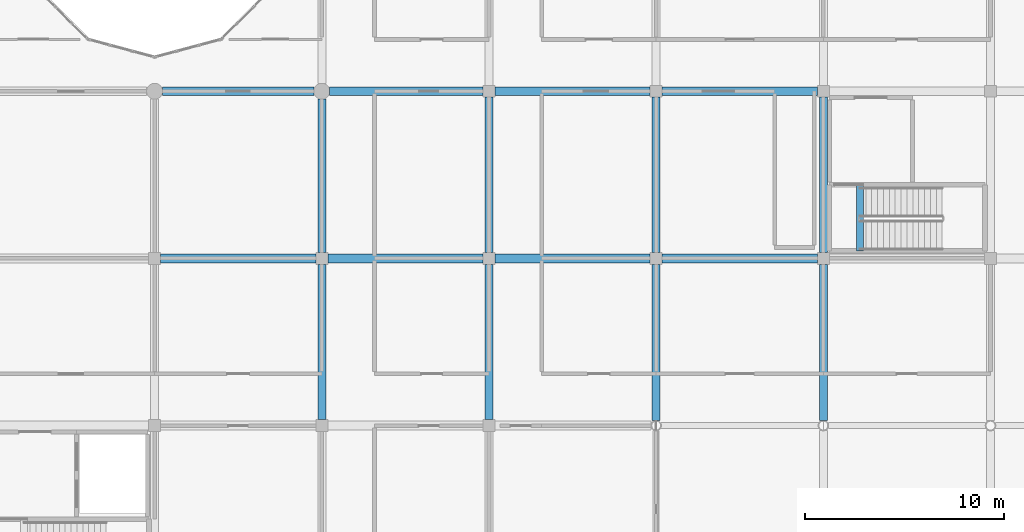
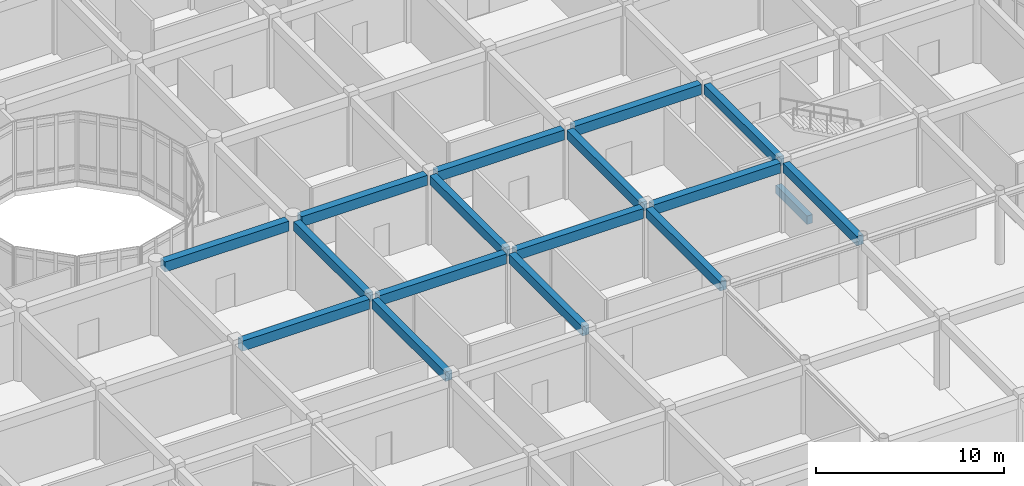
# One storey, part 26 of 138: 17 beams.
"""IFC4 building model written with IfcOpenShell, lengths in metres."""

from ifc_helpers import new_model, si_unit, direction, frame, origin, origin_2d, place, context, subcontext, project, spatial, rectangle, extrude, material, material_profile, profile_set, type_object, element, save


model = new_model("IFC4")

# Units and contexts
model_context = context("Model", 3, precision=1e-05, world=origin(), true_north=direction((0.0, 1.0)))
body_context = subcontext(model_context, "Body", "Model", "MODEL_VIEW")
ifc_project = project(units=[si_unit("LENGTHUNIT", "METRE"), si_unit("AREAUNIT", "SQUARE_METRE"), si_unit("VOLUMEUNIT", "CUBIC_METRE"), si_unit("PLANEANGLEUNIT", "RADIAN"), si_unit("MASSUNIT", "GRAM", prefix="KILO")], contexts=[model_context])

# Site, building, storey
site_placement = place(None, origin())
site = spatial("IfcSite", under=ifc_project, at=site_placement, CompositionType="ELEMENT")
building_placement = place(site_placement, origin())
building = spatial("IfcBuilding", under=site, at=building_placement, Name="Bramfleet General Hospital", CompositionType="ELEMENT")
storey_placement = place(building_placement, origin())
storey = spatial("IfcBuildingStorey", under=building, at=storey_placement, Name="L00", CompositionType="ELEMENT", Elevation=0.0)

# Beams
ifc_material = material(Name="Concrete C35/45", Category="concrete")
ifc_material_profile_1 = material_profile(ifc_material, rectangle(XDim=0.35009765625, YDim=0.550048828125, at=origin_2d()), Name="RC BM 550x350")
ifc_profile_set_1 = profile_set([ifc_material_profile_1], Name="Concrete C35/45")
beam_type_1 = type_object("IfcBeamType", Name="BM-RC550", PredefinedType="BEAM", material=ifc_profile_set_1)
beam_1_placement = place(storey_placement, frame((60.639892578125, 67.580078125, -0.27490234375), z_axis=(0.0, 1.0, 0.0), x_axis=(-1.0, 0.0, 0.0)))
element("IfcBeam", 1, at=beam_1_placement, inside=storey, type_object=beam_type_1, Name="L00 C13 Stairwell Trimmer Beam", PredefinedType="BEAM", context=body_context, shape_type="SweptSolid", body=[
    extrude(rectangle(XDim=0.35009765625, YDim=0.550048828125, at=origin_2d()), origin(), (0.0, 0.0, 1.0), 3.31982421875),
])
ifc_material_profile_2 = material_profile(ifc_material, rectangle(XDim=0.39990234375, YDim=0.60009765625, at=origin_2d()), Name="RC BM 600x400")
ifc_profile_set_2 = profile_set([ifc_material_profile_2], Name="Concrete C35/45")
beam_type_2 = type_object("IfcBeamType", Name="BM-RC600", PredefinedType="BEAM", material=ifc_profile_set_2)
beam_2_placement = place(storey_placement, frame((33.60009765625, 59.10009765625, 4.199951171875), z_axis=(0.0, 1.0, 0.0), x_axis=(-1.0, 0.0, 0.0)))
element("IfcBeam", 2, at=beam_2_placement, inside=storey, type_object=beam_type_2, Name="L00 Grid Beam Y 04-07", PredefinedType="BEAM", context=body_context, shape_type="SweptSolid", body=[
    extrude(rectangle(XDim=0.39990234375, YDim=0.60009765625, at=origin_2d()), origin(), (0.0, 0.0, 1.0), 7.7998046875),
])
beam_3_placement = place(storey_placement, frame((33.60009765625, 67.5, 4.199951171875), z_axis=(0.0, 1.0, 0.0), x_axis=(-1.0, 0.0, 0.0)))
element("IfcBeam", 3, at=beam_3_placement, inside=storey, type_object=beam_type_2, Name="L00 Grid Beam Y 04-08", PredefinedType="BEAM", context=body_context, shape_type="SweptSolid", body=[
    extrude(rectangle(XDim=0.39990234375, YDim=0.60009765625, at=origin_2d()), origin(), (0.0, 0.0, 1.0), 7.699951171875),
])
beam_4_placement = place(storey_placement, frame((42.0, 59.10009765625, 4.199951171875), z_axis=(0.0, 1.0, 0.0), x_axis=(-1.0, 0.0, 0.0)))
element("IfcBeam", 4, at=beam_4_placement, inside=storey, type_object=beam_type_2, Name="L00 Grid Beam Y 05-07", PredefinedType="BEAM", context=body_context, shape_type="SweptSolid", body=[
    extrude(rectangle(XDim=0.39990234375, YDim=0.60009765625, at=origin_2d()), origin(), (0.0, 0.0, 1.0), 7.7998046875),
])
beam_5_placement = place(storey_placement, frame((42.0, 67.5, 4.199951171875), z_axis=(0.0, 1.0, 0.0), x_axis=(-1.0, 0.0, 0.0)))
element("IfcBeam", 5, at=beam_5_placement, inside=storey, type_object=beam_type_2, Name="L00 Grid Beam Y 05-08", PredefinedType="BEAM", context=body_context, shape_type="SweptSolid", body=[
    extrude(rectangle(XDim=0.39990234375, YDim=0.60009765625, at=origin_2d()), origin(), (0.0, 0.0, 1.0), 7.800048828125),
])
beam_6_placement = place(storey_placement, frame((50.39990234375, 59.053955078125, 4.199951171875), z_axis=(0.0, 1.0, 0.0), x_axis=(-1.0, 0.0, 0.0)))
element("IfcBeam", 6, at=beam_6_placement, inside=storey, type_object=beam_type_2, Name="L00 Grid Beam Y 06-07", PredefinedType="BEAM", context=body_context, shape_type="SweptSolid", body=[
    extrude(rectangle(XDim=0.39990234375, YDim=0.60009765625, at=origin_2d()), origin(), (0.0, 0.0, 1.0), 7.845947265625),
])
beam_7_placement = place(storey_placement, frame((50.39990234375, 67.5, 4.199951171875), z_axis=(0.0, 1.0, 0.0), x_axis=(-1.0, 0.0, 0.0)))
element("IfcBeam", 7, at=beam_7_placement, inside=storey, type_object=beam_type_2, Name="L00 Grid Beam Y 06-08", PredefinedType="BEAM", context=body_context, shape_type="SweptSolid", body=[
    extrude(rectangle(XDim=0.39990234375, YDim=0.60009765625, at=origin_2d()), origin(), (0.0, 0.0, 1.0), 7.800048828125),
])
beam_8_placement = place(storey_placement, frame((58.800048828125, 59.053955078125, 4.199951171875), z_axis=(0.0, 1.0, 0.0), x_axis=(-1.0, 0.0, 0.0)))
element("IfcBeam", 8, at=beam_8_placement, inside=storey, type_object=beam_type_2, Name="L00 Grid Beam Y 07-07", PredefinedType="BEAM", context=body_context, shape_type="SweptSolid", body=[
    extrude(rectangle(XDim=0.39990234375, YDim=0.60009765625, at=origin_2d()), origin(), (0.0, 0.0, 1.0), 7.845947265625),
])
beam_9_placement = place(storey_placement, frame((58.800048828125, 67.5, 4.199951171875), z_axis=(0.0, 1.0, 0.0), x_axis=(-1.0, 0.0, 0.0)))
element("IfcBeam", 9, at=beam_9_placement, inside=storey, type_object=beam_type_2, Name="L00 Grid Beam Y 07-08", PredefinedType="BEAM", context=body_context, shape_type="SweptSolid", body=[
    extrude(rectangle(XDim=0.39990234375, YDim=0.60009765625, at=origin_2d()), origin(), (0.0, 0.0, 1.0), 7.800048828125),
])
ifc_material_profile_3 = material_profile(ifc_material, rectangle(XDim=0.449951171875, YDim=0.64990234375, at=origin_2d()), Name="RC BM 650x450")
ifc_profile_set_3 = profile_set([ifc_material_profile_3], Name="Concrete C35/45")
beam_type_3 = type_object("IfcBeamType", Name="BM-RC650", PredefinedType="BEAM", material=ifc_profile_set_3)
beam_10_placement = place(storey_placement, frame((25.5, 67.199951171875, 4.175048828125), z_axis=(1.0, 0.0, 0.0), x_axis=(0.0, 1.0, 0.0)))
element("IfcBeam", 10, at=beam_10_placement, inside=storey, type_object=beam_type_3, Name="L00 Grid Beam X 03-08", PredefinedType="BEAM", context=body_context, shape_type="SweptSolid", body=[
    extrude(rectangle(XDim=0.449951171875, YDim=0.64990234375, at=origin_2d()), origin(), (0.0, 0.0, 1.0), 7.800048828125),
])
beam_11_placement = place(storey_placement, frame((25.60009765625, 75.60009765625, 4.175048828125), z_axis=(1.0, 0.0, 0.0), x_axis=(0.0, 1.0, 0.0)))
element("IfcBeam", 11, at=beam_11_placement, inside=storey, type_object=beam_type_3, Name="L00 Grid Beam X 03-09", PredefinedType="BEAM", context=body_context, shape_type="SweptSolid", body=[
    extrude(rectangle(XDim=0.449951171875, YDim=0.64990234375, at=origin_2d()), origin(), (0.0, 0.0, 1.0), 7.599853515625),
])
beam_12_placement = place(storey_placement, frame((33.89990234375, 67.199951171875, 4.175048828125), z_axis=(1.0, 0.0, 0.0), x_axis=(0.0, 1.0, 0.0)))
element("IfcBeam", 12, at=beam_12_placement, inside=storey, type_object=beam_type_3, Name="L00 Grid Beam X 04-08", PredefinedType="BEAM", context=body_context, shape_type="SweptSolid", body=[
    extrude(rectangle(XDim=0.449951171875, YDim=0.64990234375, at=origin_2d()), origin(), (0.0, 0.0, 1.0), 7.800048828125),
])
beam_13_placement = place(storey_placement, frame((34.0, 75.60009765625, 4.175048828125), z_axis=(1.0, 0.0, 0.0), x_axis=(0.0, 1.0, 0.0)))
element("IfcBeam", 13, at=beam_13_placement, inside=storey, type_object=beam_type_3, Name="L00 Grid Beam X 04-09", PredefinedType="BEAM", context=body_context, shape_type="SweptSolid", body=[
    extrude(rectangle(XDim=0.449951171875, YDim=0.64990234375, at=origin_2d()), origin(), (0.0, 0.0, 1.0), 7.699951171875),
])
for number, where, z_axis, x_axis, name in (
    (14, (42.300048828125, 67.199951171875, 4.175048828125), (1.0, 0.0, 0.0), (0.0, 1.0, 0.0), "L00 Grid Beam X 05-08"),
    (15, (42.300048828125, 75.60009765625, 4.175048828125), (1.0, 0.0, 0.0), (0.0, 1.0, 0.0), "L00 Grid Beam X 05-09"),
    (16, (50.699951171875, 67.199951171875, 4.175048828125), (1.0, 0.0, 0.0), (0.0, 1.0, 0.0), "L00 Grid Beam X 06-08"),
    (17, (50.699951171875, 75.60009765625, 4.175048828125), (1.0, 0.0, 0.0), (0.0, 1.0, 0.0), "L00 Grid Beam X 06-09"),
):
    element("IfcBeam", number, at=place(storey_placement, frame(where, z_axis=z_axis, x_axis=x_axis)), inside=storey, type_object=beam_type_3, Name=name, PredefinedType="BEAM", context=body_context, shape_type="SweptSolid", body=[
        extrude(rectangle(XDim=0.449951171875, YDim=0.64990234375, at=origin_2d()), origin(), (0.0, 0.0, 1.0), 7.800048828125),
    ])

save(model, "model.ifc")
